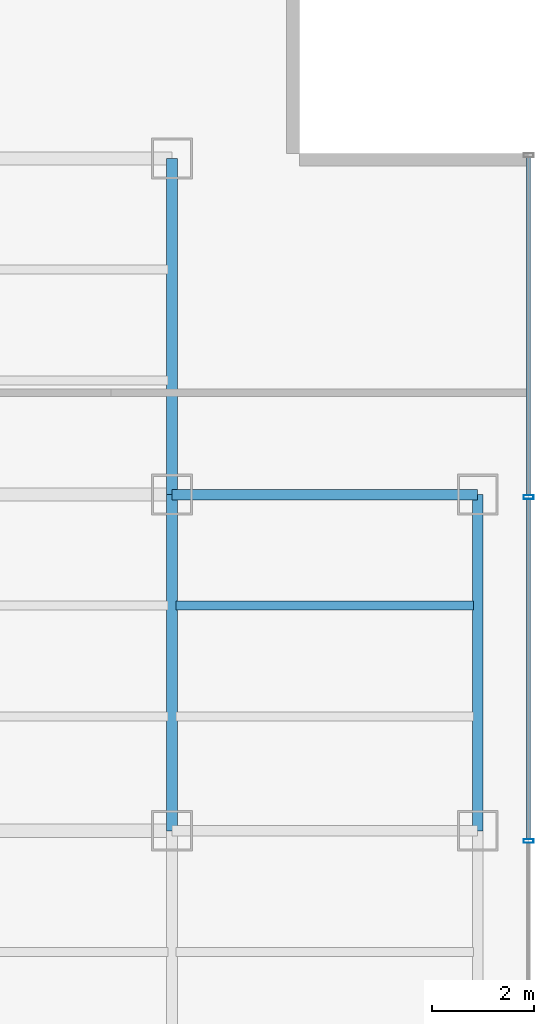
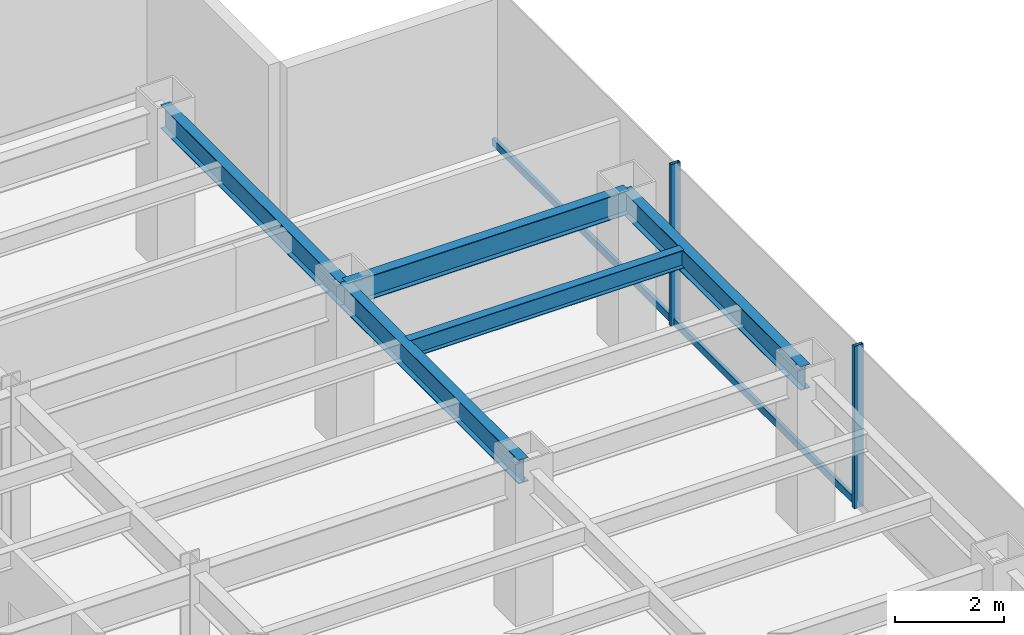
# One storey, part 12 of 26: 5 beams, 4 members, 1 element without a shape of its own.
"""IFC4 building model written with IfcOpenShell, lengths in metres."""

from ifc_helpers import new_model, si_unit, derived_unit, direction, frame, origin, origin_2d, place, context, subcontext, project, spatial, hollow_rectangle, i_section, extrude, source, transform, mapped, material, material_profile, profile_set, type_object, element, aggregate, save


model = new_model("IFC4")

# Units and contexts
model_context = context("Model", 3, precision=1e-05, world=origin(), true_north=direction((0.0, 1.0)))
body_context = subcontext(model_context, "Body", "Model", "MODEL_VIEW")
ifc_project = project(units=[si_unit("LENGTHUNIT", "METRE"), si_unit("AREAUNIT", "SQUARE_METRE"), si_unit("VOLUMEUNIT", "CUBIC_METRE"), si_unit("PLANEANGLEUNIT", "RADIAN"), si_unit("MASSUNIT", "GRAM", prefix="KILO"), derived_unit("THERMALTRANSMITTANCEUNIT", [(si_unit("POWERUNIT", "WATT"), 1), (si_unit("LENGTHUNIT", "METRE"), -2), (si_unit("THERMODYNAMICTEMPERATUREUNIT", "KELVIN"), -1)])], contexts=[model_context])

# Site, building, storey
site_placement = place(None, origin())
site = spatial("IfcSite", under=ifc_project, at=site_placement, CompositionType="ELEMENT")
building_placement = place(site_placement, origin())
building = spatial("IfcBuilding", under=site, at=building_placement, Name="Skarnbrae Concourse Arena and Tower", CompositionType="ELEMENT")
storey_placement = place(building_placement, frame((0.0, 0.0, 103.25)))
storey = spatial("IfcBuildingStorey", under=building, at=storey_placement, Name="L25", CompositionType="ELEMENT", Elevation=103.25)

# Beams
ifc_material_1 = material(Name="Steel CSA G40.21 350W", Category="steel")
ifc_material_profile_1 = material_profile(ifc_material_1, i_section(OverallWidth=0.208984375, OverallDepth=0.532958984375, WebThickness=0.01025390625, FlangeThickness=0.015625, at=origin_2d()), Name="W530X92")
ifc_profile_set_1 = profile_set([ifc_material_profile_1], Name="Steel CSA G40.21 350W")
beam_type_1 = type_object("IfcBeamType", Name="BM-SPAN-W530X92", PredefinedType="SPANDREL", material=ifc_profile_set_1)
shared_shape_1 = source(origin(), body_context, "Body", "SweptSolid", [
    extrude(i_section(OverallWidth=0.208984375, OverallDepth=0.532958984375, WebThickness=0.01025390625, FlangeThickness=0.015625, at=origin_2d()), origin(), (0.0, 0.0, 1.0), 6.0),
])
beam_1_placement = place(storey_placement, frame((49.0, 27.800048828125, 3.133544921875), z_axis=(1.0, 0.0, 0.0), x_axis=(0.0, 1.0, 0.0)))
element("IfcBeam", 1, at=beam_1_placement, inside=storey, type_object=beam_type_1, Name="L25 Perimeter spandrel Y27.8-8", PredefinedType="SPANDREL", context=body_context, shape_type="MappedRepresentation", body=[
    mapped(shared_shape_1, transform((0.0, 0.0, 0.0))),
])
shared_shape_2 = source(origin(), body_context, "Body", "SweptSolid", [
    extrude(i_section(OverallWidth=0.208984375, OverallDepth=0.532958984375, WebThickness=0.01025390625, FlangeThickness=0.015625, at=origin_2d()), origin(), (0.0, 0.0, 1.0), 6.60009765625),
])
for number, where, z_axis, x_axis, name in (
    (2, (49.0, 21.199951171875, 3.133544921875), (0.0, 1.0, 0.0), (-1.0, 0.0, 0.0), "L25 Perimeter spandrel X49.0-3"),
    (3, (55.0, 21.199951171875, 3.133544921875), (0.0, 1.0, 0.0), (-1.0, 0.0, 0.0), "L25 Perimeter spandrel X55.0-3"),
):
    element("IfcBeam", number, at=place(storey_placement, frame(where, z_axis=z_axis, x_axis=x_axis)), inside=storey, type_object=beam_type_1, Name=name, PredefinedType="SPANDREL", context=body_context, shape_type="MappedRepresentation", body=[
        mapped(shared_shape_2, transform((0.0, 0.0, 0.0))),
    ])
shared_shape_3 = source(origin(), body_context, "Body", "SweptSolid", [
    extrude(i_section(OverallWidth=0.208984375, OverallDepth=0.532958984375, WebThickness=0.01025390625, FlangeThickness=0.015625, at=origin_2d()), origin(), (0.0, 0.0, 1.0), 6.599853515625),
])
beam_2_placement = place(storey_placement, frame((49.0, 27.800048828125, 3.133544921875), z_axis=(0.0, 1.0, 0.0), x_axis=(-1.0, 0.0, 0.0)))
element("IfcBeam", 4, at=beam_2_placement, inside=storey, type_object=beam_type_1, Name="L25 Perimeter spandrel X49.0-4", PredefinedType="SPANDREL", context=body_context, shape_type="MappedRepresentation", body=[
    mapped(shared_shape_3, transform((0.0, 0.0, 0.0))),
])
ifc_material_profile_2 = material_profile(ifc_material_1, i_section(OverallWidth=0.177978515625, OverallDepth=0.406982421875, WebThickness=0.0078125, FlangeThickness=0.0126953125, at=origin_2d()), Name="W410X60")
ifc_profile_set_2 = profile_set([ifc_material_profile_2], Name="Steel CSA G40.21 350W")
beam_type_2 = type_object("IfcBeamType", Name="BM-JOIST-W410X60", PredefinedType="JOIST", material=ifc_profile_set_2)
shared_shape_4 = source(origin(), body_context, "Body", "SweptSolid", [
    extrude(i_section(OverallWidth=0.177978515625, OverallDepth=0.406982421875, WebThickness=0.0078125, FlangeThickness=0.0126953125, at=origin_2d()), origin(), (0.0, 0.0, 1.0), 5.83984375),
])
beam_3_placement = place(storey_placement, frame((49.080078125, 25.6220703125, 3.196533203125), z_axis=(1.0, 0.0, 0.0), x_axis=(0.0, 1.0, 0.0)))
element("IfcBeam", 5, at=beam_3_placement, inside=storey, type_object=beam_type_2, Name="L25 Secondary floor joist 2.2.8", PredefinedType="JOIST", context=body_context, shape_type="MappedRepresentation", body=[
    mapped(shared_shape_4, transform((0.0, 0.0, 0.0))),
])

# Curtain wall, members
ifc_material_2 = material(Name="Bronze anodised aluminium 6063-T6", Category="aluminium")
curtain_wall_type = type_object("IfcCurtainWallType", Name="CW-SYS-04-MIDZONE", PredefinedType="USERDEFINED", material=ifc_material_2)
curtain_wall_placement = place(storey_placement, origin())
curtain_wall = element("IfcCurtainWall", 6, at=curtain_wall_placement, inside=storey, type_object=curtain_wall_type, Name="L25 Unitised curtain wall CW-L25-E04", ObjectType="UNITISED CURTAIN WALL", PredefinedType="USERDEFINED")
ifc_material_profile_3 = material_profile(ifc_material_2, hollow_rectangle(XDim=0.074951171875, YDim=0.195068359375, WallThickness=0.00439453125, at=origin_2d()), Name="ALU-MULL-75X195")
ifc_profile_set_3 = profile_set([ifc_material_profile_3], Name="Bronze anodised aluminium 6063-T6")
member_type_1 = type_object("IfcMemberType", Name="CWM-CW-04", PredefinedType="MULLION", material=ifc_profile_set_3)
shared_shape_5 = source(origin(), body_context, "Body", "SweptSolid", [
    extrude(hollow_rectangle(XDim=0.074951171875, YDim=0.195068359375, WallThickness=0.00439453125, at=origin_2d()), origin(), (0.0, 0.0, 1.0), 3.64990234375),
])
member_1_placement = place(storey_placement, frame((56.0, 21.0, 0.0), z_axis=(0.0, 0.0, 1.0), x_axis=(0.0, 1.0, 0.0)))
member_1 = element("IfcMember", 7, at=member_1_placement, type_object=member_type_1, Name="CW-L25-E04 Mullion 3", PredefinedType="MULLION", context=body_context, shape_type="MappedRepresentation", body=[
    mapped(shared_shape_5, transform((0.0, 0.0, 0.0))),
])
member_2_placement = place(storey_placement, frame((56.0, 27.75, 0.0), z_axis=(0.0, 0.0, 1.0), x_axis=(0.0, 1.0, 0.0)))
member_2 = element("IfcMember", 8, at=member_2_placement, type_object=member_type_1, Name="CW-L25-E04 Mullion 4", PredefinedType="MULLION", context=body_context, shape_type="MappedRepresentation", body=[
    mapped(shared_shape_5, transform((0.0, 0.0, 0.0))),
])
ifc_material_profile_4 = material_profile(ifc_material_2, hollow_rectangle(XDim=0.074951171875, YDim=0.159912109375, WallThickness=0.00439453125, at=origin_2d()), Name="ALU-TRAN-75X160")
ifc_profile_set_4 = profile_set([ifc_material_profile_4], Name="Bronze anodised aluminium 6063-T6")
member_type_2 = type_object("IfcMemberType", Name="CWT-CW-04", PredefinedType="USERDEFINED", material=ifc_profile_set_4)
shared_shape_6 = source(origin(), body_context, "Body", "SweptSolid", [
    extrude(hollow_rectangle(XDim=0.074951171875, YDim=0.159912109375, WallThickness=0.00439453125, at=origin_2d()), origin(), (0.0, 0.0, 1.0), 6.637451171875),
])
member_3_placement = place(storey_placement, frame((56.0, 27.78759765625, 0.080078125), z_axis=(0.0, 1.0, 0.0), x_axis=(-1.0, 0.0, 0.0)))
member_3 = element("IfcMember", 9, at=member_3_placement, type_object=member_type_2, Name="CW-L25-E04 Transom 4", ObjectType="TRANSOM", PredefinedType="USERDEFINED", context=body_context, shape_type="MappedRepresentation", body=[
    mapped(shared_shape_6, transform((0.0, 0.0, 0.0))),
])
shared_shape_7 = source(origin(), body_context, "Body", "SweptSolid", [
    extrude(hollow_rectangle(XDim=0.074951171875, YDim=0.159912109375, WallThickness=0.00439453125, at=origin_2d()), origin(), (0.0, 0.0, 1.0), 6.6748046875),
])
member_4_placement = place(storey_placement, frame((56.0, 21.03759765625, 0.080078125), z_axis=(0.0, 1.0, 0.0), x_axis=(-1.0, 0.0, 0.0)))
member_4 = element("IfcMember", 10, at=member_4_placement, type_object=member_type_2, Name="CW-L25-E04 Transom 3", ObjectType="TRANSOM", PredefinedType="USERDEFINED", context=body_context, shape_type="MappedRepresentation", body=[
    mapped(shared_shape_7, transform((0.0, 0.0, 0.0))),
])
aggregate(curtain_wall, [member_1, member_2, member_4, member_3])

save(model, "model.ifc")
